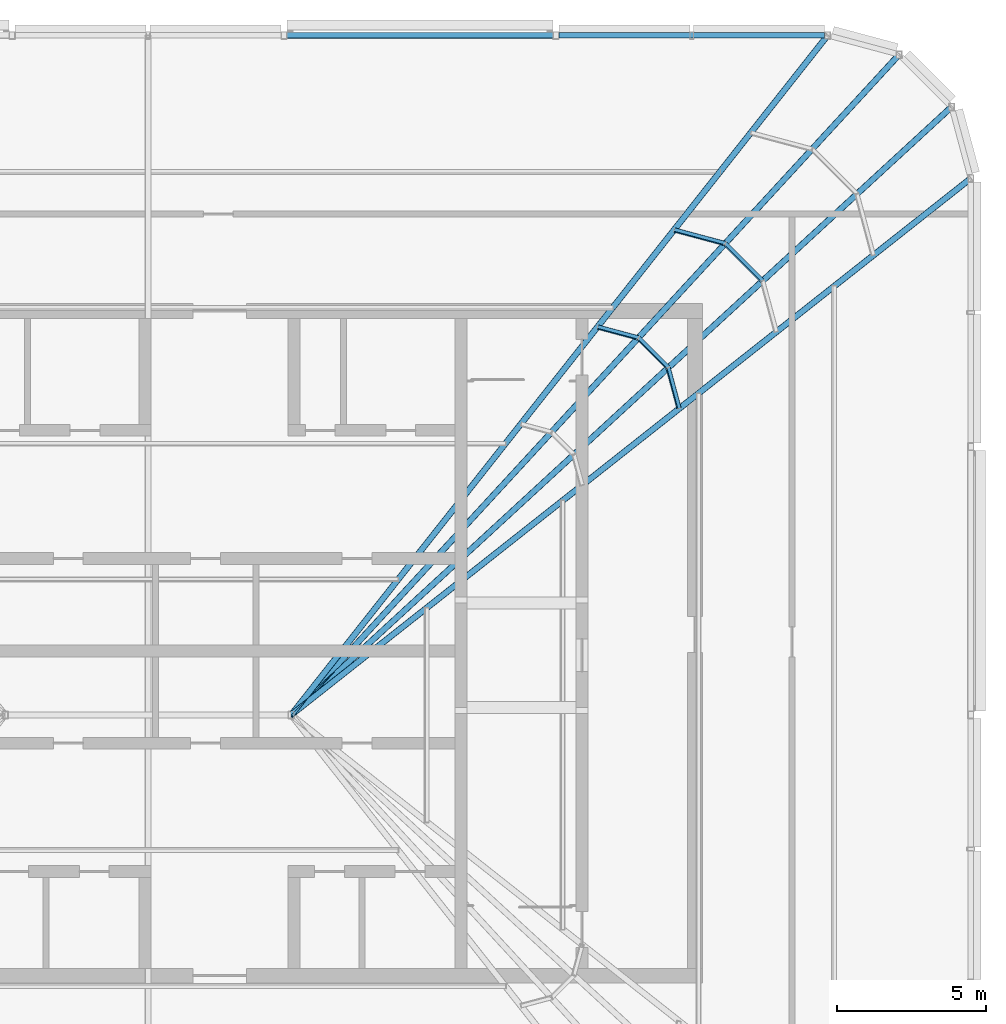
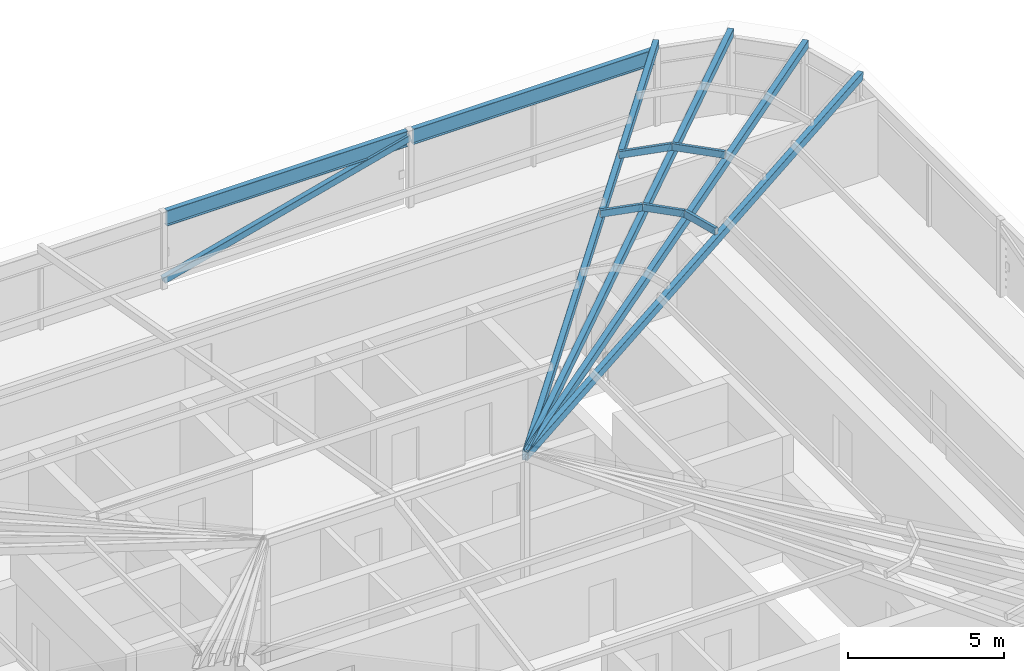
# One storey, part 19 of 46: 10 members, 2 beams.
"""IFC4 building model written with IfcOpenShell, lengths in metres."""

from ifc_helpers import new_model, si_unit, direction, frame, origin, origin_2d, place, context, subcontext, project, spatial, hollow_rectangle, i_section, extrude, material, material_profile, profile_set, type_object, element, save


model = new_model("IFC4")

# Units and contexts
model_context = context("Model", 3, precision=1e-05, world=origin(), true_north=direction((0.0, 1.0)))
body_context = subcontext(model_context, "Body", "Model", "MODEL_VIEW")
ifc_project = project(units=[si_unit("LENGTHUNIT", "METRE"), si_unit("AREAUNIT", "SQUARE_METRE"), si_unit("VOLUMEUNIT", "CUBIC_METRE"), si_unit("PLANEANGLEUNIT", "RADIAN"), si_unit("MASSUNIT", "GRAM", prefix="KILO")], contexts=[model_context])

# Site, building, storey
site_placement = place(None, origin())
site = spatial("IfcSite", under=ifc_project, at=site_placement, CompositionType="ELEMENT")
building_placement = place(site_placement, origin())
building = spatial("IfcBuilding", under=site, at=building_placement, Name="Madar Terraces", CompositionType="ELEMENT")
storey_placement = place(building_placement, frame((0.0, 0.0, 317.300048828125)))
storey = spatial("IfcBuildingStorey", under=building, at=storey_placement, Name="L82", CompositionType="ELEMENT", Elevation=317.300048828125)

# Beams
ifc_material_1 = material(Name="Steel ASTM A992 Grade 50", Category="steel")
ifc_material_profile_1 = material_profile(ifc_material_1, i_section(OverallWidth=0.1787109375, OverallDepth=0.60205078125, WebThickness=0.010986328125, FlangeThickness=0.014892578125, at=origin_2d()), Name="W24x62")
ifc_profile_set_1 = profile_set([ifc_material_profile_1], Name="Steel ASTM A992 Grade 50")
beam_type = type_object("IfcBeamType", Name="CF2 W24x62", PredefinedType="BEAM", material=ifc_profile_set_1)
for number, where, z_axis, x_axis, name in (
    (1, (51.498291015625, 46.800048828125, 2.698974609375), (-1.0, 0.0, 0.0), (0.0, -1.0, 0.0), "Crown frame ring beam CF2"),
    (2, (42.37841796875, 46.800048828125, 2.698974609375), (-1.0, 0.0, 0.0), (0.0, -1.0, 0.0), "Crown frame ring beam CF2"),
):
    element("IfcBeam", number, at=place(storey_placement, frame(where, z_axis=z_axis, x_axis=x_axis)), inside=storey, type_object=beam_type, Name=name, PredefinedType="BEAM", context=body_context, shape_type="SweptSolid", body=[
        extrude(i_section(OverallWidth=0.1787109375, OverallDepth=0.60205078125, WebThickness=0.010986328125, FlangeThickness=0.014892578125, at=origin_2d()), origin(), (0.0, 0.0, 1.0), 8.916748046875),
    ])

# Members
ifc_material_2 = material(Name="Steel ASTM A500 Grade C", Category="steel")
ifc_material_profile_2 = material_profile(ifc_material_2, hollow_rectangle(XDim=0.203125, YDim=0.3046875, WallThickness=0.00634765625, InnerFilletRadius=0.0029296875, OuterFilletRadius=0.0087890625, at=origin_2d()), Name="HSS12x8x.25")
ifc_profile_set_2 = profile_set([ifc_material_profile_2], Name="Steel ASTM A500 Grade C")
member_type_1 = type_object("IfcMemberType", Name="CF3 HSS12x8x.25", PredefinedType="RAFTER", material=ifc_profile_set_2)
for number, where, z_axis, x_axis, name in (
    (3, (51.587158203125, 46.78369140625, 3.149169921875), (-0.613851215906, -0.777546538658, 0.136411381312), (0.784883410926, -0.619643471081, 0.0), "Crown frame hip rafter 3"),
    (4, (56.3837890625, 41.987060546875, 3.149169921875), (-0.777546538658, -0.613851215906, 0.136411381312), (0.619643471081, -0.784883410926, 0.0), "Crown frame hip rafter 8"),
):
    element("IfcMember", number, at=place(storey_placement, frame(where, z_axis=z_axis, x_axis=x_axis)), inside=storey, type_object=member_type_1, Name=name, PredefinedType="RAFTER", context=body_context, shape_type="SweptSolid", body=[
        extrude(hollow_rectangle(XDim=0.203125, YDim=0.3046875, WallThickness=0.00634765625, InnerFilletRadius=0.0029296875, OuterFilletRadius=0.0087890625, at=origin_2d()), origin(), (0.0, 0.0, 1.0), 29.322998046875),
    ])
member_1_placement = place(storey_placement, frame((55.7421875, 44.386474609375, 3.149169921875), z_axis=(-0.729267306349, -0.671443411946, 0.13165462561), x_axis=(0.677339211615, -0.735670845153, 0.0)))
element("IfcMember", 5, at=member_1_placement, inside=storey, type_object=member_type_1, Name="Crown frame hip rafter 9", PredefinedType="RAFTER", context=body_context, shape_type="SweptSolid", body=[
    extrude(hollow_rectangle(XDim=0.203125, YDim=0.3046875, WallThickness=0.00634765625, InnerFilletRadius=0.0029296875, OuterFilletRadius=0.0087890625, at=origin_2d()), origin(), (0.0, 0.0, 1.0), 30.382568359375),
])
member_2_placement = place(storey_placement, frame((53.986328125, 46.14208984375, 3.149169921875), z_axis=(-0.671442933808, -0.729267479054, 0.131656107464), x_axis=(0.735671165432, -0.677338863754, 0.0)))
element("IfcMember", 6, at=member_2_placement, inside=storey, type_object=member_type_1, Name="Crown frame hip rafter 10", PredefinedType="RAFTER", context=body_context, shape_type="SweptSolid", body=[
    extrude(hollow_rectangle(XDim=0.203125, YDim=0.3046875, WallThickness=0.00634765625, InnerFilletRadius=0.0029296875, OuterFilletRadius=0.0087890625, at=origin_2d()), origin(), (0.0, 0.0, 1.0), 30.382080078125),
])
ifc_material_3 = material(Name="Steel ASTM A500 Grade C", Category="steel")
ifc_material_profile_3 = material_profile(ifc_material_3, hollow_rectangle(XDim=0.126953125, YDim=0.25390625, WallThickness=0.00634765625, InnerFilletRadius=0.0029296875, OuterFilletRadius=0.0087890625, at=origin_2d()), Name="HSS10x5x.25")
ifc_profile_set_3 = profile_set([ifc_material_profile_3], Name="Steel ASTM A500 Grade C")
member_type_2 = type_object("IfcMemberType", Name="CF4 HSS10x5x.25", PredefinedType="PURLIN", material=ifc_profile_set_3)
member_3_placement = place(storey_placement, frame((46.612060546875, 34.28125, 5.142578125), z_axis=(-0.258764732701, 0.965940377617, 0.0), x_axis=(-0.957217613808, -0.256428000851, 0.13408624163)))
element("IfcMember", 7, at=member_3_placement, inside=storey, type_object=member_type_2, Name="Crown frame purlin 27", PredefinedType="PURLIN", context=body_context, shape_type="SweptSolid", body=[
    extrude(hollow_rectangle(XDim=0.126953125, YDim=0.25390625, WallThickness=0.00634765625, InnerFilletRadius=0.0029296875, OuterFilletRadius=0.0087890625, at=origin_2d()), origin(), (0.0, 0.0, 1.0), 1.419921875),
])
member_4_placement = place(storey_placement, frame((49.41455078125, 38.5595703125, 4.571044921875), z_axis=(-0.707106781187, 0.707106781187, 0.0), x_axis=(-0.700941463334, -0.700941463334, 0.131765435371)))
element("IfcMember", 8, at=member_4_placement, inside=storey, type_object=member_type_2, Name="Crown frame purlin 30", PredefinedType="PURLIN", context=body_context, shape_type="SweptSolid", body=[
    extrude(hollow_rectangle(XDim=0.126953125, YDim=0.25390625, WallThickness=0.00634765625, InnerFilletRadius=0.0029296875, OuterFilletRadius=0.0087890625, at=origin_2d()), origin(), (0.0, 0.0, 1.0), 1.774658203125),
])
member_5_placement = place(storey_placement, frame((46.249267578125, 35.645263671875, 5.142578125), z_axis=(-0.707106781187, 0.707106781187, 0.0), x_axis=(-0.700941463334, -0.700941463334, 0.131765435371)))
element("IfcMember", 9, at=member_5_placement, inside=storey, type_object=member_type_2, Name="Crown frame purlin 31", PredefinedType="PURLIN", context=body_context, shape_type="SweptSolid", body=[
    extrude(hollow_rectangle(XDim=0.126953125, YDim=0.25390625, WallThickness=0.00634765625, InnerFilletRadius=0.0029296875, OuterFilletRadius=0.0087890625, at=origin_2d()), origin(), (0.0, 0.0, 1.0), 1.419677734375),
])
member_6_placement = place(storey_placement, frame((48.1669921875, 39.809814453125, 4.5712890625), z_axis=(-0.965909979169, 0.258878180119, 0.0), x_axis=(-0.256540423801, -0.957187489869, 0.13408624163)))
element("IfcMember", 10, at=member_6_placement, inside=storey, type_object=member_type_2, Name="Crown frame purlin 34", PredefinedType="PURLIN", context=body_context, shape_type="SweptSolid", body=[
    extrude(hollow_rectangle(XDim=0.126953125, YDim=0.25390625, WallThickness=0.00634765625, InnerFilletRadius=0.0029296875, OuterFilletRadius=0.0087890625, at=origin_2d()), origin(), (0.0, 0.0, 1.0), 1.77490234375),
])
member_7_placement = place(storey_placement, frame((45.252685546875, 36.64453125, 5.142578125), z_axis=(-0.965885861028, 0.258968151452, 0.0), x_axis=(-0.256629582663, -0.957163589522, 0.13408624163)))
element("IfcMember", 11, at=member_7_placement, inside=storey, type_object=member_type_2, Name="Crown frame purlin 35", PredefinedType="PURLIN", context=body_context, shape_type="SweptSolid", body=[
    extrude(hollow_rectangle(XDim=0.126953125, YDim=0.25390625, WallThickness=0.00634765625, InnerFilletRadius=0.0029296875, OuterFilletRadius=0.0087890625, at=origin_2d()), origin(), (0.0, 0.0, 1.0), 1.419677734375),
])
ifc_material_4 = material(Name="Steel ASTM A500 Grade C", Category="steel")
ifc_material_profile_4 = material_profile(ifc_material_4, hollow_rectangle(XDim=0.203125, YDim=0.25390625, WallThickness=0.009521484375, InnerFilletRadius=0.00439453125, OuterFilletRadius=0.01318359375, at=origin_2d()), Name="HSS10x8x.375")
ifc_profile_set_4 = profile_set([ifc_material_profile_4], Name="Steel ASTM A500 Grade C")
member_type_3 = type_object("IfcMemberType", Name="CF5 crown frame brace HSS10x8x.375", PredefinedType="BRACE", material=ifc_profile_set_4)
member_8_placement = place(storey_placement, frame((42.47998046875, 46.800048828125, 2.698974609375), z_axis=(-0.967101695591, 0.0, -0.254390075248), x_axis=(0.0, -1.0, 0.0)))
element("IfcMember", 12, at=member_8_placement, inside=storey, type_object=member_type_3, Name="Crown frame brace CF5", PredefinedType="BRACE", context=body_context, shape_type="SweptSolid", body=[
    extrude(hollow_rectangle(XDim=0.203125, YDim=0.25390625, WallThickness=0.009521484375, InnerFilletRadius=0.00439453125, OuterFilletRadius=0.01318359375, at=origin_2d()), origin(), (0.0, 0.0, 1.0), 9.43017578125),
])

save(model, "model.ifc")
